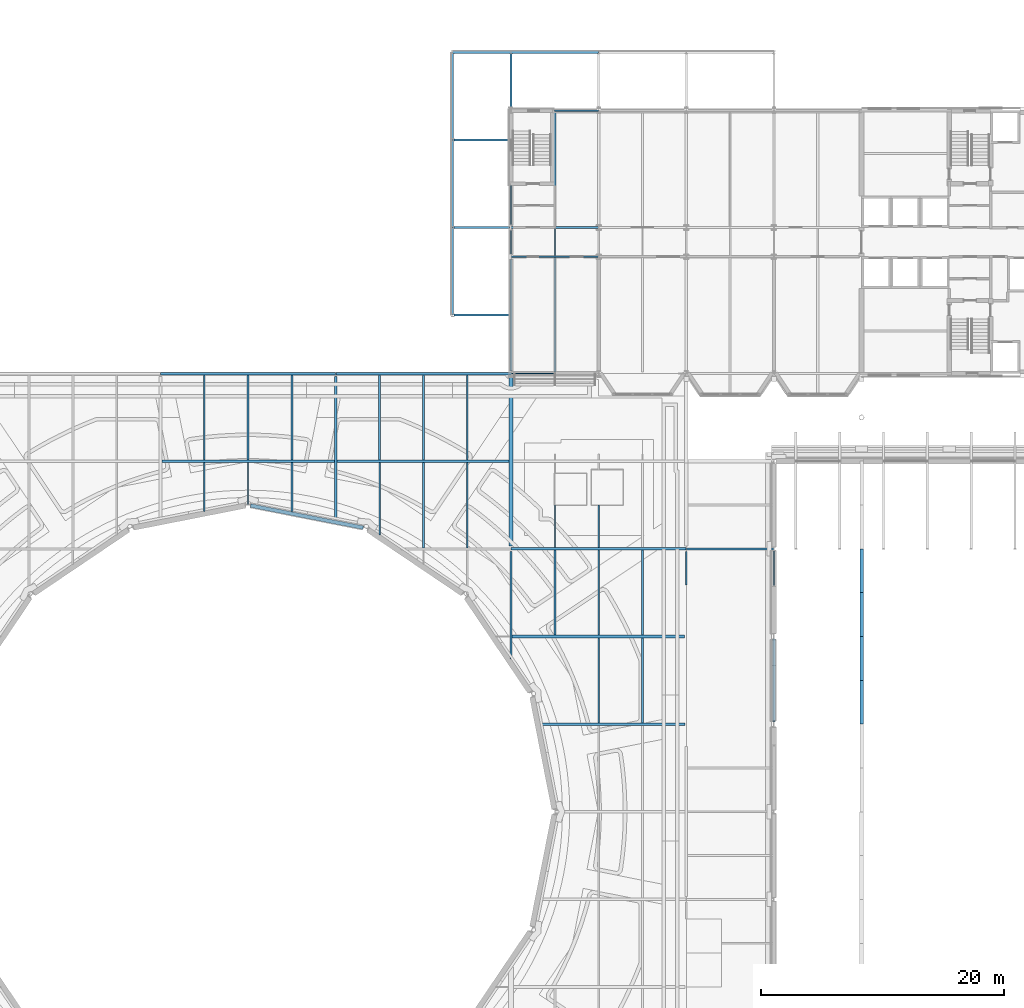
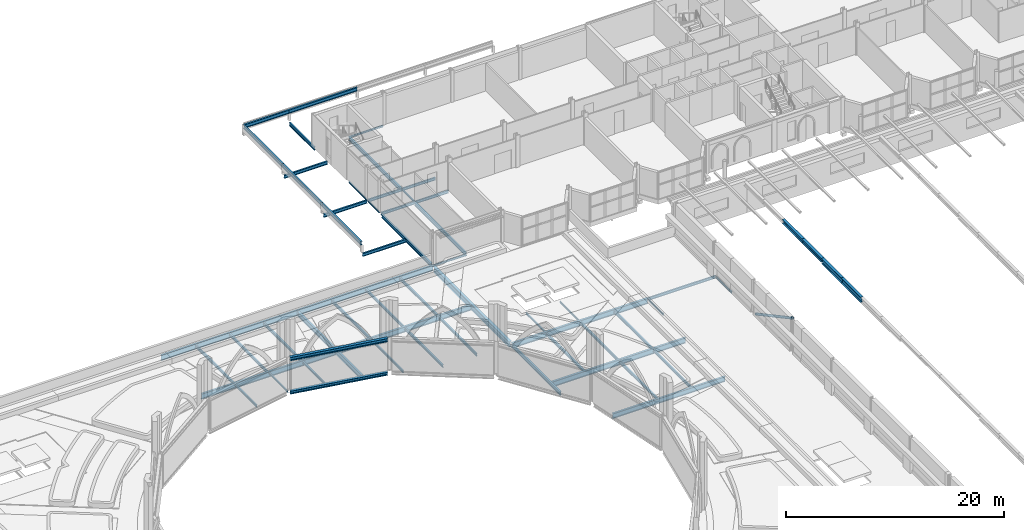
# One storey, part 24 of 110: 53 beams, 5 members.
"""IFC4 building model written with IfcOpenShell, lengths in metres."""

import ifcopenshell
import ifcopenshell.guid

model = None  # the IFC model being written
_history = None  # IfcOwnerHistory: only IFC2X3 demands one
_inside = {}  # id of a spatial element -> (the spatial element, [elements in it])
_under = {}  # id of a project, library or spatial element -> (it, [spatial elements below it])
_declared = {}  # id of a project -> (the project, [libraries it declares])
_typed = {}  # id of a type object -> (the type object, [elements of that type])
_made_of = {}  # id of a material, layer set ... -> (it, [elements and type objects made of it])


def new_model(schema):
    """Start an empty IFC model of exactly this schema.

    Asked for "IFC4X3", IfcOpenShell would pick the latest addendum, in which some entities
    have other attributes; the version numbers below select the first issue.
    IFC2X3 requires an IfcOwnerHistory on every rooted entity: one is made here for all.
    """
    global model, _history
    if schema == "IFC4X3":
        model = ifcopenshell.file(schema_version=(4, 3, 0, 0))
    else:
        model = ifcopenshell.file(schema=schema)
    _inside.clear()
    _under.clear()
    _declared.clear()
    _typed.clear()
    _made_of.clear()
    _history = None
    if model.schema == "IFC2X3":
        org = make("IfcOrganization", Name="unknown")
        user = make(
            "IfcPersonAndOrganization",
            ThePerson=make("IfcPerson", FamilyName="unknown"),
            TheOrganization=org,
        )
        app = make(
            "IfcApplication",
            ApplicationDeveloper=org,
            Version="unknown",
            ApplicationFullName="unknown",
            ApplicationIdentifier="unknown",
        )
        _history = make(
            "IfcOwnerHistory",
            OwningUser=user,
            OwningApplication=app,
            ChangeAction="ADDED",
            CreationDate=0,
        )
    return model


def make(cls, **values):
    """One entity of the class cls with the attributes given. An attribute that is None is left unset."""
    return model.create_entity(
        cls, **{name: value for name, value in values.items() if value is not None}
    )


def rooted(cls, **values):
    """An entity with a GlobalId (a new one), such as an element, a storey or a relation."""
    return make(cls, GlobalId=ifcopenshell.guid.new(), OwnerHistory=_history, **values)


def si_unit(unit_type, name, prefix=None):
    """IfcSIUnit, for example si_unit("LENGTHUNIT", "METRE", prefix="MILLI")."""
    return make("IfcSIUnit", UnitType=unit_type, Prefix=prefix, Name=name)


def assignment(units):
    """IfcUnitAssignment: the units of a project."""
    return None if units is None else make("IfcUnitAssignment", Units=units)


def point(xyz):
    """IfcCartesianPoint."""
    return None if xyz is None else make("IfcCartesianPoint", Coordinates=xyz)


def direction(xyz):
    """IfcDirection."""
    return None if xyz is None else make("IfcDirection", DirectionRatios=xyz)


def frame(location, z_axis=None, x_axis=None):
    """IfcAxis2Placement3D, a coordinate frame: its origin and axes. An axis left out is left unset."""
    return make(
        "IfcAxis2Placement3D",
        Location=point(location),
        Axis=direction(z_axis),
        RefDirection=direction(x_axis),
    )


def frame_2d(location, x_axis=None):
    """IfcAxis2Placement2D, a coordinate frame in the plane: its origin and x axis."""
    return make(
        "IfcAxis2Placement2D", Location=point(location), RefDirection=direction(x_axis)
    )


def origin():
    """The frame at (0, 0, 0) with its axes left unset."""
    return frame((0.0, 0.0, 0.0))


def origin_2d():
    """The frame at (0, 0) in the plane with its x axis left unset."""
    return frame_2d((0.0, 0.0))


def place(relative_to, where):
    """IfcLocalPlacement: puts the frame where relative to a parent placement (None: the world)."""
    return make(
        "IfcLocalPlacement", PlacementRelTo=relative_to, RelativePlacement=where
    )


def context(
    kind, dimensions, precision=None, world=None, true_north=None, identifier=None
):
    """IfcGeometricRepresentationContext, for example the 3D "Model" context."""
    return make(
        "IfcGeometricRepresentationContext",
        ContextIdentifier=identifier,
        ContextType=kind,
        CoordinateSpaceDimension=dimensions,
        Precision=precision,
        WorldCoordinateSystem=world,
        TrueNorth=true_north,
    )


def subcontext(parent, identifier, kind, view, scale=None):
    """IfcGeometricRepresentationSubContext, for example "Body" below "Model"."""
    return make(
        "IfcGeometricRepresentationSubContext",
        ContextIdentifier=identifier,
        ContextType=kind,
        ParentContext=parent,
        TargetScale=scale,
        TargetView=view,
    )


def project(units=None, contexts=None):
    """IfcProject with its units and contexts."""
    return rooted(
        "IfcProject",
        Name="project",
        RepresentationContexts=contexts,
        UnitsInContext=assignment(units),
    )


def spatial(cls, under=None, at=None, **own):
    """A site, building, storey or space (cls), placed at a placement, below another one or the project."""
    s = rooted(cls, ObjectPlacement=at, **own)
    if under is not None:
        _under.setdefault(under.id(), (under, []))[1].append(s)
    return s


def profile(cls, at=None, kind="AREA", **sizes):
    """A parametric profile (cls). Its sizes go by their IFC names, for example OverallWidth=200.0."""
    return make(cls, ProfileType=kind, Position=at, **sizes)


def hollow_circle(**sizes):
    """IfcCircleHollowProfileDef."""
    return profile("IfcCircleHollowProfileDef", **sizes)


def i_section(**sizes):
    """IfcIShapeProfileDef."""
    return profile("IfcIShapeProfileDef", **sizes)


def extrude(swept, where, along, depth):
    """IfcExtrudedAreaSolid: the profile swept, set in the frame where, extruded along a direction by depth."""
    return make(
        "IfcExtrudedAreaSolid",
        SweptArea=swept,
        Position=where,
        ExtrudedDirection=direction(along),
        Depth=depth,
    )


def shape(context_of_items, identifier, shape_type, items):
    """IfcShapeRepresentation: the items that make up one representation, for example the "Body"."""
    return make(
        "IfcShapeRepresentation",
        ContextOfItems=context_of_items,
        RepresentationIdentifier=identifier,
        RepresentationType=shape_type,
        Items=items,
    )


def material(Name=None, Category=None):
    """IfcMaterial."""
    return make("IfcMaterial", Name=Name, Category=Category)


def material_profile(
    of_material, cross_section, Name=None, Category=None, Priority=None
):
    """IfcMaterialProfile: a cross section and its material."""
    return make(
        "IfcMaterialProfile",
        Name=Name,
        Material=of_material,
        Profile=cross_section,
        Priority=Priority,
        Category=Category,
    )


def profile_set(profiles, Name=None, composite=None):
    """IfcMaterialProfileSet."""
    return make(
        "IfcMaterialProfileSet",
        Name=Name,
        MaterialProfiles=profiles,
        CompositeProfile=composite,
    )


def made_of(thing, what):
    """Note that an element or type object is made of a material, layer set ...; save() writes the relation."""
    if what is not None:
        _made_of.setdefault(what.id(), (what, []))[1].append(thing)
    return thing


def type_object(cls, material=None, **own):
    """A type object (cls), such as IfcWallType, which elements share."""
    return made_of(rooted(cls, **own), material)


def element(
    cls,
    number,
    at=None,
    inside=None,
    cuts=None,
    type_object=None,
    material=None,
    context=None,
    identifier="Body",
    shape_type=None,
    held_by="IfcProductDefinitionShape",
    body=None,
    shapes=None,
    **own,
):
    """One element of the class cls, such as IfcWall. Its Tag is "e" and its number.

    at: its placement. inside: the storey or other place that contains it. cuts: it is an
    opening in that element (IfcRelVoidsElement). A single representation is given by context,
    identifier, shape_type and body (its items); several are given by shapes. held_by: the class
    of the entity that holds the representations. save() writes the other relations.
    """
    e = rooted(cls, Tag="e%d" % number, ObjectPlacement=at, **own)
    if body is not None:
        shapes = [shape(context, identifier, shape_type, body)]
    if shapes is not None:
        e.Representation = make(held_by, Representations=shapes)
    if inside is not None:
        _inside.setdefault(inside.id(), (inside, []))[1].append(e)
    if cuts is not None:
        rooted(
            "IfcRelVoidsElement", RelatingBuildingElement=cuts, RelatedOpeningElement=e
        )
    if type_object is not None:
        _typed.setdefault(type_object.id(), (type_object, []))[1].append(e)
    return made_of(e, material)


def aggregate(whole, parts):
    """IfcRelAggregates: a whole, such as a stair, and the parts it consists of."""
    return rooted("IfcRelAggregates", RelatingObject=whole, RelatedObjects=parts)


def save(model, path):
    """Write the relations noted so far, then the file.

    IfcRelAggregates (storeys below a building ...), IfcRelContainedInSpatialStructure (elements
    in a storey), IfcRelDefinesByType, IfcRelAssociatesMaterial and IfcRelDeclares: one each for
    every whole, place, type object, material and project.
    """
    for whole, parts in _under.values():
        aggregate(whole, parts)
    for where, things in _inside.values():
        rooted(
            "IfcRelContainedInSpatialStructure",
            RelatedElements=things,
            RelatingStructure=where,
        )
    for kind, things in _typed.values():
        rooted("IfcRelDefinesByType", RelatedObjects=things, RelatingType=kind)
    for what, things in _made_of.values():
        rooted("IfcRelAssociatesMaterial", RelatedObjects=things, RelatingMaterial=what)
    for by, libraries in _declared.values():
        rooted("IfcRelDeclares", RelatingContext=by, RelatedDefinitions=libraries)
    model.write(path)


model = new_model("IFC4")

# Units and contexts
model_context = context("Model", 3, precision=1e-05, world=origin(), true_north=direction((0.0, 1.0)))
body_context = subcontext(model_context, "Body", "Model", "MODEL_VIEW")
ifc_project = project(units=[si_unit("LENGTHUNIT", "METRE"), si_unit("AREAUNIT", "SQUARE_METRE"), si_unit("VOLUMEUNIT", "CUBIC_METRE"), si_unit("PLANEANGLEUNIT", "RADIAN"), si_unit("MASSUNIT", "GRAM", prefix="KILO")], contexts=[model_context])

# Site, building, storey
site_placement = place(None, origin())
site = spatial("IfcSite", under=ifc_project, at=site_placement, CompositionType="ELEMENT")
building_placement = place(site_placement, origin())
building = spatial("IfcBuilding", under=site, at=building_placement, Name="Kupolbacken Congress Centre", CompositionType="ELEMENT")
storey_placement = place(building_placement, frame((0.0, 0.0, 18.0)))
storey = spatial("IfcBuildingStorey", under=building, at=storey_placement, Name="L05", CompositionType="ELEMENT", Elevation=18.0)

# Beams
ifc_material_1 = material(Name="Steel S355", Category="steel")
ifc_material_profile_1 = material_profile(ifc_material_1, i_section(OverallWidth=0.10009765625, OverallDepth=0.199951171875, WebThickness=0.005615234375, FlangeThickness=0.008544921875, FilletRadius=0.011962890625, at=origin_2d()), Name="IPE 200")
ifc_profile_set_1 = profile_set([ifc_material_profile_1], Name="Steel S355")
beam_type_1 = type_object("IfcBeamType", Name="B01 beam IPE 200", PredefinedType="BEAM", material=ifc_profile_set_1)
beam_1_placement = place(storey_placement, frame((79.199951171875, 105.050048828125, -0.280029296875), z_axis=(0.0, 1.0, 0.0), x_axis=(-1.0, 0.0, 0.0)))
element("IfcBeam", 1, at=beam_1_placement, inside=storey, type_object=beam_type_1, Name="S/floor/P/L05/G036", PredefinedType="BEAM", context=body_context, shape_type="SweptSolid", body=[
    extrude(i_section(OverallWidth=0.10009765625, OverallDepth=0.199951171875, WebThickness=0.005615234375, FlangeThickness=0.008544921875, FilletRadius=0.011962890625, at=origin_2d()), origin(), (0.0, 0.0, 1.0), 2.724853515625),
])
beam_2_placement = place(storey_placement, frame((64.806884765625, 122.39990234375, -0.280029296875), z_axis=(1.0, 0.0, 0.0), x_axis=(0.0, 1.0, 0.0)))
element("IfcBeam", 2, at=beam_2_placement, inside=storey, type_object=beam_type_1, Name="S/floor/P/L05/R074", PredefinedType="BEAM", context=body_context, shape_type="SweptSolid", body=[
    extrude(i_section(OverallWidth=0.10009765625, OverallDepth=0.199951171875, WebThickness=0.005615234375, FlangeThickness=0.008544921875, FilletRadius=0.011962890625, at=origin_2d()), origin(), (0.0, 0.0, 1.0), 3.468017578125),
])
beam_3_placement = place(storey_placement, frame((43.199951171875, 111.606689453125, -0.280029296875), z_axis=(0.0, 1.0, 0.0), x_axis=(-1.0, 0.0, 0.0)))
element("IfcBeam", 3, at=beam_3_placement, inside=storey, type_object=beam_type_1, Name="S/floor/P/L05/S118", PredefinedType="BEAM", context=body_context, shape_type="SweptSolid", body=[
    extrude(i_section(OverallWidth=0.10009765625, OverallDepth=0.199951171875, WebThickness=0.005615234375, FlangeThickness=0.008544921875, FilletRadius=0.011962890625, at=origin_2d()), origin(), (0.0, 0.0, 1.0), 3.4833984375),
])
for number, where, z_axis, x_axis, name in (
    (4, (72.0, 108.110107421875, -0.280029296875), (0.0, 1.0, 0.0), (-1.0, 0.0, 0.0), "S/floor/P/L05/S148"),
    (5, (68.39990234375, 108.110107421875, -0.280029296875), (0.0, 1.0, 0.0), (-1.0, 0.0, 0.0), "S/floor/P/L05/S174"),
):
    element("IfcBeam", number, at=place(storey_placement, frame(where, z_axis=z_axis, x_axis=x_axis)), inside=storey, type_object=beam_type_1, Name=name, PredefinedType="BEAM", context=body_context, shape_type="SweptSolid", body=[
        extrude(i_section(OverallWidth=0.10009765625, OverallDepth=0.199951171875, WebThickness=0.005615234375, FlangeThickness=0.008544921875, FilletRadius=0.011962890625, at=origin_2d()), origin(), (0.0, 0.0, 1.0), 3.489990234375),
    ])
beam_4_placement = place(storey_placement, frame((86.39990234375, 105.0, -0.280029296875), z_axis=(0.0, 1.0, 0.0), x_axis=(-1.0, 0.0, 0.0)))
element("IfcBeam", 6, at=beam_4_placement, inside=storey, type_object=beam_type_1, Name="S/floor/LINK/L05/E008", PredefinedType="BEAM", context=body_context, shape_type="SweptSolid", body=[
    extrude(i_section(OverallWidth=0.10009765625, OverallDepth=0.199951171875, WebThickness=0.005615234375, FlangeThickness=0.008544921875, FilletRadius=0.011962890625, at=origin_2d()), origin(), (0.0, 0.0, 1.0), 2.85498046875),
])
beam_5_placement = place(storey_placement, frame((68.35009765625, 144.0, -0.239990234375), z_axis=(1.0, 0.0, 0.0), x_axis=(0.0, 1.0, 0.0)))
element("IfcBeam", 7, at=beam_5_placement, inside=storey, type_object=beam_type_1, Name="S/floor/T/L05/R023", PredefinedType="BEAM", context=body_context, shape_type="SweptSolid", body=[
    extrude(i_section(OverallWidth=0.10009765625, OverallDepth=0.199951171875, WebThickness=0.005615234375, FlangeThickness=0.008544921875, FilletRadius=0.011962890625, at=origin_2d()), origin(), (0.0, 0.0, 1.0), 3.639404296875),
])
beam_6_placement = place(storey_placement, frame((64.800048828125, 132.22509765625, -0.239990234375), z_axis=(0.0, 1.0, 0.0), x_axis=(-1.0, 0.0, 0.0)))
element("IfcBeam", 8, at=beam_6_placement, inside=storey, type_object=beam_type_1, Name="S/floor/T/L05/S032", PredefinedType="BEAM", context=body_context, shape_type="SweptSolid", body=[
    extrude(i_section(OverallWidth=0.10009765625, OverallDepth=0.199951171875, WebThickness=0.005615234375, FlangeThickness=0.008544921875, FilletRadius=0.011962890625, at=origin_2d()), origin(), (0.0, 0.0, 1.0), 1.949951171875),
])
beam_7_placement = place(storey_placement, frame((64.800048828125, 134.625, -0.239990234375), z_axis=(0.0, 1.0, 0.0), x_axis=(-1.0, 0.0, 0.0)))
element("IfcBeam", 9, at=beam_7_placement, inside=storey, type_object=beam_type_1, Name="S/floor/T/L05/S033", PredefinedType="BEAM", context=body_context, shape_type="SweptSolid", body=[
    extrude(i_section(OverallWidth=0.10009765625, OverallDepth=0.199951171875, WebThickness=0.005615234375, FlangeThickness=0.008544921875, FilletRadius=0.011962890625, at=origin_2d()), origin(), (0.0, 0.0, 1.0), 3.22509765625),
])
beam_8_placement = place(storey_placement, frame((68.39990234375, 132.074951171875, -0.239990234375), z_axis=(0.0, 1.0, 0.0), x_axis=(-1.0, 0.0, 0.0)))
element("IfcBeam", 10, at=beam_8_placement, inside=storey, type_object=beam_type_1, Name="S/floor/T/L05/S035", PredefinedType="BEAM", context=body_context, shape_type="SweptSolid", body=[
    extrude(i_section(OverallWidth=0.10009765625, OverallDepth=0.199951171875, WebThickness=0.005615234375, FlangeThickness=0.008544921875, FilletRadius=0.011962890625, at=origin_2d()), origin(), (0.0, 0.0, 1.0), 2.25),
])
ifc_material_2 = material(Name="Steel S355", Category="steel")
ifc_material_profile_2 = material_profile(ifc_material_2, i_section(OverallWidth=0.135009765625, OverallDepth=0.27001953125, WebThickness=0.006591796875, FlangeThickness=0.01025390625, FilletRadius=0.014892578125, at=origin_2d()), Name="IPE 270")
ifc_profile_set_2 = profile_set([ifc_material_profile_2], Name="Steel S355")
beam_type_2 = type_object("IfcBeamType", Name="B03 beam IPE 270", PredefinedType="BEAM", material=ifc_profile_set_2)
for number, where, z_axis, x_axis, name in (
    (11, (39.60009765625, 111.057373046875, -0.31494140625), (0.0, 1.0, 0.0), (-1.0, 0.0, 0.0), "S/floor/P/L05/S114"),
    (12, (46.800048828125, 111.057373046875, -0.31494140625), (0.0, 1.0, 0.0), (-1.0, 0.0, 0.0), "S/floor/P/L05/S122"),
):
    element("IfcBeam", number, at=place(storey_placement, frame(where, z_axis=z_axis, x_axis=x_axis)), inside=storey, type_object=beam_type_2, Name=name, PredefinedType="BEAM", context=body_context, shape_type="SweptSolid", body=[
        extrude(i_section(OverallWidth=0.135009765625, OverallDepth=0.27001953125, WebThickness=0.006591796875, FlangeThickness=0.01025390625, FilletRadius=0.014892578125, at=origin_2d()), origin(), (0.0, 0.0, 1.0), 4.03271484375),
    ])
beam_9_placement = place(storey_placement, frame((54.0, 109.150390625, -0.31494140625), z_axis=(0.0, 1.0, 0.0), x_axis=(-1.0, 0.0, 0.0)))
element("IfcBeam", 13, at=beam_9_placement, inside=storey, type_object=beam_type_2, Name="S/floor/P/L05/S126", PredefinedType="BEAM", context=body_context, shape_type="SweptSolid", body=[
    extrude(i_section(OverallWidth=0.135009765625, OverallDepth=0.27001953125, WebThickness=0.006591796875, FlangeThickness=0.01025390625, FilletRadius=0.014892578125, at=origin_2d()), origin(), (0.0, 0.0, 1.0), 5.939697265625),
])
ifc_material_3 = material(Name="Steel S355", Category="steel")
ifc_material_profile_3 = material_profile(ifc_material_3, i_section(OverallWidth=0.14990234375, OverallDepth=0.300048828125, WebThickness=0.007080078125, FlangeThickness=0.0107421875, FilletRadius=0.014892578125, at=origin_2d()), Name="IPE 300")
ifc_profile_set_3 = profile_set([ifc_material_profile_3], Name="Steel S355")
beam_type_3 = type_object("IfcBeamType", Name="B04 beam IPE 300", PredefinedType="BEAM", material=ifc_profile_set_3)
for number, where, z_axis, x_axis, name in (
    (14, (39.60009765625, 115.31005859375, -0.330078125), (0.0, 1.0, 0.0), (-1.0, 0.0, 0.0), "S/floor/P/L05/S115"),
    (15, (43.199951171875, 115.31005859375, -0.330078125), (0.0, 1.0, 0.0), (-1.0, 0.0, 0.0), "S/floor/P/L05/S119"),
    (16, (46.800048828125, 115.31005859375, -0.330078125), (0.0, 1.0, 0.0), (-1.0, 0.0, 0.0), "S/floor/P/L05/S123"),
    (17, (54.0, 115.31005859375, -0.330078125), (0.0, 1.0, 0.0), (-1.0, 0.0, 0.0), "S/floor/P/L05/S127"),
):
    element("IfcBeam", number, at=place(storey_placement, frame(where, z_axis=z_axis, x_axis=x_axis)), inside=storey, type_object=beam_type_3, Name=name, PredefinedType="BEAM", context=body_context, shape_type="SweptSolid", body=[
        extrude(i_section(OverallWidth=0.14990234375, OverallDepth=0.300048828125, WebThickness=0.007080078125, FlangeThickness=0.0107421875, FilletRadius=0.014892578125, at=origin_2d()), origin(), (0.0, 0.0, 1.0), 6.97998046875),
    ])
beam_10_placement = place(storey_placement, frame((57.60009765625, 108.090087890625, -0.330078125), z_axis=(0.0, 1.0, 0.0), x_axis=(-1.0, 0.0, 0.0)))
element("IfcBeam", 18, at=beam_10_placement, inside=storey, type_object=beam_type_3, Name="S/floor/P/L05/S132", PredefinedType="BEAM", context=body_context, shape_type="SweptSolid", body=[
    extrude(i_section(OverallWidth=0.14990234375, OverallDepth=0.300048828125, WebThickness=0.007080078125, FlangeThickness=0.0107421875, FilletRadius=0.014892578125, at=origin_2d()), origin(), (0.0, 0.0, 1.0), 7.0),
])
beam_11_placement = place(storey_placement, frame((57.60009765625, 115.31005859375, -0.330078125), z_axis=(0.0, 1.0, 0.0), x_axis=(-1.0, 0.0, 0.0)))
element("IfcBeam", 19, at=beam_11_placement, inside=storey, type_object=beam_type_3, Name="S/floor/P/L05/S133", PredefinedType="BEAM", context=body_context, shape_type="SweptSolid", body=[
    extrude(i_section(OverallWidth=0.14990234375, OverallDepth=0.300048828125, WebThickness=0.007080078125, FlangeThickness=0.0107421875, FilletRadius=0.014892578125, at=origin_2d()), origin(), (0.0, 0.0, 1.0), 6.97998046875),
])
beam_12_placement = place(storey_placement, frame((61.199951171875, 108.090087890625, -0.330078125), z_axis=(0.0, 1.0, 0.0), x_axis=(-1.0, 0.0, 0.0)))
element("IfcBeam", 20, at=beam_12_placement, inside=storey, type_object=beam_type_3, Name="S/floor/P/L05/S138", PredefinedType="BEAM", context=body_context, shape_type="SweptSolid", body=[
    extrude(i_section(OverallWidth=0.14990234375, OverallDepth=0.300048828125, WebThickness=0.007080078125, FlangeThickness=0.0107421875, FilletRadius=0.014892578125, at=origin_2d()), origin(), (0.0, 0.0, 1.0), 7.0),
])
beam_13_placement = place(storey_placement, frame((61.199951171875, 115.31005859375, -0.330078125), z_axis=(0.0, 1.0, 0.0), x_axis=(-1.0, 0.0, 0.0)))
element("IfcBeam", 21, at=beam_13_placement, inside=storey, type_object=beam_type_3, Name="S/floor/P/L05/S139", PredefinedType="BEAM", context=body_context, shape_type="SweptSolid", body=[
    extrude(i_section(OverallWidth=0.14990234375, OverallDepth=0.300048828125, WebThickness=0.007080078125, FlangeThickness=0.0107421875, FilletRadius=0.014892578125, at=origin_2d()), origin(), (0.0, 0.0, 1.0), 6.97998046875),
])
beam_14_placement = place(storey_placement, frame((72.0, 93.705078125, -0.330078125), z_axis=(0.0, 1.0, 0.0), x_axis=(-1.0, 0.0, 0.0)))
element("IfcBeam", 22, at=beam_14_placement, inside=storey, type_object=beam_type_3, Name="S/floor/P/L05/S146", PredefinedType="BEAM", context=body_context, shape_type="SweptSolid", body=[
    extrude(i_section(OverallWidth=0.14990234375, OverallDepth=0.300048828125, WebThickness=0.007080078125, FlangeThickness=0.0107421875, FilletRadius=0.014892578125, at=origin_2d()), origin(), (0.0, 0.0, 1.0), 6.98486328125),
])
beam_15_placement = place(storey_placement, frame((72.0, 100.909912109375, -0.330078125), z_axis=(0.0, 1.0, 0.0), x_axis=(-1.0, 0.0, 0.0)))
element("IfcBeam", 23, at=beam_15_placement, inside=storey, type_object=beam_type_3, Name="S/floor/P/L05/S147", PredefinedType="BEAM", context=body_context, shape_type="SweptSolid", body=[
    extrude(i_section(OverallWidth=0.14990234375, OverallDepth=0.300048828125, WebThickness=0.007080078125, FlangeThickness=0.0107421875, FilletRadius=0.014892578125, at=origin_2d()), origin(), (0.0, 0.0, 1.0), 6.97998046875),
])
beam_16_placement = place(storey_placement, frame((75.60009765625, 93.705078125, -0.330078125), z_axis=(0.0, 1.0, 0.0), x_axis=(-1.0, 0.0, 0.0)))
element("IfcBeam", 24, at=beam_16_placement, inside=storey, type_object=beam_type_3, Name="S/floor/P/L05/S157", PredefinedType="BEAM", context=body_context, shape_type="SweptSolid", body=[
    extrude(i_section(OverallWidth=0.14990234375, OverallDepth=0.300048828125, WebThickness=0.007080078125, FlangeThickness=0.0107421875, FilletRadius=0.014892578125, at=origin_2d()), origin(), (0.0, 0.0, 1.0), 6.98486328125),
])
for number, where, z_axis, x_axis, name in (
    (25, (75.60009765625, 100.909912109375, -0.330078125), (0.0, 1.0, 0.0), (-1.0, 0.0, 0.0), "S/floor/P/L05/S158"),
    (26, (68.39990234375, 100.909912109375, -0.330078125), (0.0, 1.0, 0.0), (-1.0, 0.0, 0.0), "S/floor/P/L05/S173"),
):
    element("IfcBeam", number, at=place(storey_placement, frame(where, z_axis=z_axis, x_axis=x_axis)), inside=storey, type_object=beam_type_3, Name=name, PredefinedType="BEAM", context=body_context, shape_type="SweptSolid", body=[
        extrude(i_section(OverallWidth=0.14990234375, OverallDepth=0.300048828125, WebThickness=0.007080078125, FlangeThickness=0.0107421875, FilletRadius=0.014892578125, at=origin_2d()), origin(), (0.0, 0.0, 1.0), 6.97998046875),
    ])
beam_17_placement = place(storey_placement, frame((79.20703125, 108.0, -0.330078125), z_axis=(1.0, 0.0, 0.0), x_axis=(0.0, 1.0, 0.0)))
element("IfcBeam", 27, at=beam_17_placement, inside=storey, type_object=beam_type_3, Name="S/floor/LINK/L05/R020", PredefinedType="BEAM", context=body_context, shape_type="SweptSolid", body=[
    extrude(i_section(OverallWidth=0.14990234375, OverallDepth=0.300048828125, WebThickness=0.007080078125, FlangeThickness=0.0107421875, FilletRadius=0.014892578125, at=origin_2d()), origin(), (0.0, 0.0, 1.0), 7.188720703125),
])
for number, where, z_axis, x_axis, name in (
    (28, (64.806884765625, 132.0, -0.2900390625), (1.0, 0.0, 0.0), (0.0, 1.0, 0.0), "S/floor/T/L05/R007"),
    (29, (64.806884765625, 134.39990234375, -0.2900390625), (1.0, 0.0, 0.0), (0.0, 1.0, 0.0), "S/floor/T/L05/R015"),
):
    element("IfcBeam", number, at=place(storey_placement, frame(where, z_axis=z_axis, x_axis=x_axis)), inside=storey, type_object=beam_type_3, Name=name, PredefinedType="BEAM", context=body_context, shape_type="SweptSolid", body=[
        extrude(i_section(OverallWidth=0.14990234375, OverallDepth=0.300048828125, WebThickness=0.007080078125, FlangeThickness=0.0107421875, FilletRadius=0.014892578125, at=origin_2d()), origin(), (0.0, 0.0, 1.0), 7.1767578125),
    ])
ifc_material_4 = material(Name="Steel S355", Category="steel")
ifc_material_profile_4 = material_profile(ifc_material_4, i_section(OverallWidth=0.169921875, OverallDepth=0.360107421875, WebThickness=0.008056640625, FlangeThickness=0.0126953125, FilletRadius=0.01806640625, at=origin_2d()), Name="IPE 360")
ifc_profile_set_4 = profile_set([ifc_material_profile_4], Name="Steel S355")
beam_type_4 = type_object("IfcBeamType", Name="B06 beam IPE 360", PredefinedType="BEAM", material=ifc_profile_set_4)
beam_18_placement = place(storey_placement, frame((64.800048828125, 144.080078125, -0.320068359375), z_axis=(0.0, 1.0, 0.0), x_axis=(-1.0, 0.0, 0.0)))
element("IfcBeam", 30, at=beam_18_placement, inside=storey, type_object=beam_type_4, Name="E/T/portal/N/tie64.8/L05", PredefinedType="BEAM", context=body_context, shape_type="SweptSolid", body=[
    extrude(i_section(OverallWidth=0.169921875, OverallDepth=0.360107421875, WebThickness=0.008056640625, FlangeThickness=0.0126953125, FilletRadius=0.01806640625, at=origin_2d()), origin(), (0.0, 0.0, 1.0), 4.60986328125),
])
for number, where, z_axis, x_axis, name in (
    (31, (64.719970703125, 127.199951171875, -0.320068359375), (-1.0, 0.0, 0.0), (0.0, -1.0, 0.0), "E/T/portal/W/tie127.2/L05"),
    (32, (64.719970703125, 134.39990234375, -0.320068359375), (-1.0, 0.0, 0.0), (0.0, -1.0, 0.0), "E/T/portal/W/tie134.4/L05"),
    (33, (64.719970703125, 141.60009765625, -0.320068359375), (-1.0, 0.0, 0.0), (0.0, -1.0, 0.0), "E/T/portal/W/tie141.6/L05"),
):
    element("IfcBeam", number, at=place(storey_placement, frame(where, z_axis=z_axis, x_axis=x_axis)), inside=storey, type_object=beam_type_4, Name=name, PredefinedType="BEAM", context=body_context, shape_type="SweptSolid", body=[
        extrude(i_section(OverallWidth=0.169921875, OverallDepth=0.360107421875, WebThickness=0.008056640625, FlangeThickness=0.0126953125, FilletRadius=0.01806640625, at=origin_2d()), origin(), (0.0, 0.0, 1.0), 4.60498046875),
    ])
ifc_material_5 = material(Name="Steel S355", Category="steel")
ifc_material_profile_5 = material_profile(ifc_material_5, i_section(OverallWidth=0.179931640625, OverallDepth=0.39990234375, WebThickness=0.008544921875, FlangeThickness=0.013427734375, FilletRadius=0.02099609375, at=origin_2d()), Name="IPE 400")
ifc_profile_set_5 = profile_set([ifc_material_profile_5], Name="Steel S355")
beam_type_5 = type_object("IfcBeamType", Name="B07 beam IPE 400", PredefinedType="BEAM", material=ifc_profile_set_5)
beam_19_placement = place(storey_placement, frame((64.800048828125, 98.970703125, -0.3798828125), z_axis=(0.0, 1.0, 0.0), x_axis=(-1.0, 0.0, 0.0)))
element("IfcBeam", 34, at=beam_19_placement, inside=storey, type_object=beam_type_5, Name="S/floor/P/L05/G030", PredefinedType="BEAM", context=body_context, shape_type="SweptSolid", body=[
    extrude(i_section(OverallWidth=0.179931640625, OverallDepth=0.39990234375, WebThickness=0.008544921875, FlangeThickness=0.013427734375, FilletRadius=0.02099609375, at=origin_2d()), origin(), (0.0, 0.0, 1.0), 8.80419921875),
])
beam_20_placement = place(storey_placement, frame((64.800048828125, 122.625, -0.340087890625), z_axis=(0.0, 1.0, 0.0), x_axis=(-1.0, 0.0, 0.0)))
element("IfcBeam", 35, at=beam_20_placement, inside=storey, type_object=beam_type_5, Name="S/floor/T/L05/S031", PredefinedType="BEAM", context=body_context, shape_type="SweptSolid", body=[
    extrude(i_section(OverallWidth=0.179931640625, OverallDepth=0.39990234375, WebThickness=0.008544921875, FlangeThickness=0.013427734375, FilletRadius=0.02099609375, at=origin_2d()), origin(), (0.0, 0.0, 1.0), 9.14990234375),
])
beam_21_placement = place(storey_placement, frame((68.39990234375, 122.52490234375, -0.340087890625), z_axis=(0.0, 1.0, 0.0), x_axis=(-1.0, 0.0, 0.0)))
element("IfcBeam", 36, at=beam_21_placement, inside=storey, type_object=beam_type_5, Name="S/floor/T/L05/S034", PredefinedType="BEAM", context=body_context, shape_type="SweptSolid", body=[
    extrude(i_section(OverallWidth=0.179931640625, OverallDepth=0.39990234375, WebThickness=0.008544921875, FlangeThickness=0.013427734375, FilletRadius=0.02099609375, at=origin_2d()), origin(), (0.0, 0.0, 1.0), 9.400146484375),
])
beam_22_placement = place(storey_placement, frame((68.39990234375, 134.47509765625, -0.340087890625), z_axis=(0.0, 1.0, 0.0), x_axis=(-1.0, 0.0, 0.0)))
element("IfcBeam", 37, at=beam_22_placement, inside=storey, type_object=beam_type_5, Name="S/floor/T/L05/S036", PredefinedType="BEAM", context=body_context, shape_type="SweptSolid", body=[
    extrude(i_section(OverallWidth=0.179931640625, OverallDepth=0.39990234375, WebThickness=0.008544921875, FlangeThickness=0.013427734375, FilletRadius=0.02099609375, at=origin_2d()), origin(), (0.0, 0.0, 1.0), 9.474853515625),
])
beam_23_placement = place(storey_placement, frame((60.0, 148.800048828125, 1.0), z_axis=(1.0, 0.0, 0.0), x_axis=(0.0, 1.0, 0.0)))
element("IfcBeam", 38, at=beam_23_placement, inside=storey, type_object=beam_type_5, Name="E/T/portal/N/girder60", PredefinedType="BEAM", context=body_context, shape_type="SweptSolid", body=[
    extrude(i_section(OverallWidth=0.179931640625, OverallDepth=0.39990234375, WebThickness=0.008544921875, FlangeThickness=0.013427734375, FilletRadius=0.02099609375, at=origin_2d()), origin(), (0.0, 0.0, 1.0), 4.800048828125),
])
for number, where, z_axis, x_axis, name in (
    (39, (64.800048828125, 148.800048828125, 1.0), (1.0, 0.0, 0.0), (0.0, 1.0, 0.0), "E/T/portal/N/girder64.8"),
    (40, (60.0, 127.199951171875, 1.0), (0.0, 1.0, 0.0), (-1.0, 0.0, 0.0), "E/T/portal/W/girder127.2"),
):
    element("IfcBeam", number, at=place(storey_placement, frame(where, z_axis=z_axis, x_axis=x_axis)), inside=storey, type_object=beam_type_5, Name=name, PredefinedType="BEAM", context=body_context, shape_type="SweptSolid", body=[
        extrude(i_section(OverallWidth=0.179931640625, OverallDepth=0.39990234375, WebThickness=0.008544921875, FlangeThickness=0.013427734375, FilletRadius=0.02099609375, at=origin_2d()), origin(), (0.0, 0.0, 1.0), 7.199951171875),
    ])
beam_24_placement = place(storey_placement, frame((60.0, 134.39990234375, 1.0), z_axis=(0.0, 1.0, 0.0), x_axis=(-1.0, 0.0, 0.0)))
element("IfcBeam", 41, at=beam_24_placement, inside=storey, type_object=beam_type_5, Name="E/T/portal/W/girder134.4", PredefinedType="BEAM", context=body_context, shape_type="SweptSolid", body=[
    extrude(i_section(OverallWidth=0.179931640625, OverallDepth=0.39990234375, WebThickness=0.008544921875, FlangeThickness=0.013427734375, FilletRadius=0.02099609375, at=origin_2d()), origin(), (0.0, 0.0, 1.0), 7.2001953125),
])
beam_25_placement = place(storey_placement, frame((60.0, 141.60009765625, 1.0), z_axis=(0.0, 1.0, 0.0), x_axis=(-1.0, 0.0, 0.0)))
element("IfcBeam", 42, at=beam_25_placement, inside=storey, type_object=beam_type_5, Name="E/T/portal/W/girder141.6", PredefinedType="BEAM", context=body_context, shape_type="SweptSolid", body=[
    extrude(i_section(OverallWidth=0.179931640625, OverallDepth=0.39990234375, WebThickness=0.008544921875, FlangeThickness=0.013427734375, FilletRadius=0.02099609375, at=origin_2d()), origin(), (0.0, 0.0, 1.0), 7.199951171875),
])
ifc_material_6 = material(Name="Steel S355", Category="steel")
ifc_material_profile_6 = material_profile(ifc_material_6, i_section(OverallWidth=0.2099609375, OverallDepth=0.550048828125, WebThickness=0.010986328125, FlangeThickness=0.01708984375, FilletRadius=0.02392578125, at=origin_2d()), Name="IPE 550")
ifc_profile_set_6 = profile_set([ifc_material_profile_6], Name="Steel S355")
beam_type_6 = type_object("IfcBeamType", Name="B10 beam IPE 550", PredefinedType="BEAM", material=ifc_profile_set_6)
beam_26_placement = place(storey_placement, frame((50.39990234375, 110.35595703125, -0.455078125), z_axis=(0.0, 1.0, 0.0), x_axis=(-1.0, 0.0, 0.0)))
element("IfcBeam", 43, at=beam_26_placement, inside=storey, type_object=beam_type_6, Name="S/floor/P/L05/G028", PredefinedType="BEAM", context=body_context, shape_type="SweptSolid", body=[
    extrude(i_section(OverallWidth=0.2099609375, OverallDepth=0.550048828125, WebThickness=0.010986328125, FlangeThickness=0.01708984375, FilletRadius=0.02392578125, at=origin_2d()), origin(), (0.0, 0.0, 1.0), 11.819091796875),
])
beam_27_placement = place(storey_placement, frame((67.156005859375, 93.60009765625, -0.455078125), z_axis=(1.0, 0.0, 0.0), x_axis=(0.0, 1.0, 0.0)))
element("IfcBeam", 44, at=beam_27_placement, inside=storey, type_object=beam_type_6, Name="S/floor/P/L05/R056", PredefinedType="BEAM", context=body_context, shape_type="SweptSolid", body=[
    extrude(i_section(OverallWidth=0.2099609375, OverallDepth=0.550048828125, WebThickness=0.010986328125, FlangeThickness=0.01708984375, FilletRadius=0.02392578125, at=origin_2d()), origin(), (0.0, 0.0, 1.0), 11.9189453125),
])
ifc_material_7 = material(Name="Steel S355", Category="steel")
ifc_material_profile_7 = material_profile(ifc_material_7, i_section(OverallWidth=0.219970703125, OverallDepth=0.60009765625, WebThickness=0.011962890625, FlangeThickness=0.01904296875, FilletRadius=0.02392578125, at=origin_2d()), Name="IPE 600")
ifc_profile_set_7 = profile_set([ifc_material_profile_7], Name="Steel S355")
beam_type_7 = type_object("IfcBeamType", Name="B11 beam IPE 600", PredefinedType="BEAM", material=ifc_profile_set_7)
beam_28_placement = place(storey_placement, frame((64.889892578125, 100.800048828125, -0.47998046875), z_axis=(1.0, 0.0, 0.0), x_axis=(0.0, 1.0, 0.0)))
element("IfcBeam", 45, at=beam_28_placement, inside=storey, type_object=beam_type_7, Name="S/floor/P/L05/R060", PredefinedType="BEAM", context=body_context, shape_type="SweptSolid", body=[
    extrude(i_section(OverallWidth=0.219970703125, OverallDepth=0.60009765625, WebThickness=0.011962890625, FlangeThickness=0.01904296875, FilletRadius=0.02392578125, at=origin_2d()), origin(), (0.0, 0.0, 1.0), 14.16015625),
])
beam_29_placement = place(storey_placement, frame((64.806884765625, 108.0, -0.47998046875), z_axis=(1.0, 0.0, 0.0), x_axis=(0.0, 1.0, 0.0)))
element("IfcBeam", 46, at=beam_29_placement, inside=storey, type_object=beam_type_7, Name="S/floor/P/L05/R064", PredefinedType="BEAM", context=body_context, shape_type="SweptSolid", body=[
    extrude(i_section(OverallWidth=0.219970703125, OverallDepth=0.60009765625, WebThickness=0.011962890625, FlangeThickness=0.01904296875, FilletRadius=0.02392578125, at=origin_2d()), origin(), (0.0, 0.0, 1.0), 14.38623046875),
])
beam_30_placement = place(storey_placement, frame((36.10498046875, 115.199951171875, -0.47998046875), z_axis=(1.0, 0.0, 0.0), x_axis=(0.0, 1.0, 0.0)))
element("IfcBeam", 47, at=beam_30_placement, inside=storey, type_object=beam_type_7, Name="S/floor/P/L05/R067", PredefinedType="BEAM", context=body_context, shape_type="SweptSolid", body=[
    extrude(i_section(OverallWidth=0.219970703125, OverallDepth=0.60009765625, WebThickness=0.011962890625, FlangeThickness=0.01904296875, FilletRadius=0.02392578125, at=origin_2d()), origin(), (0.0, 0.0, 1.0), 14.18994140625),
])
beam_31_placement = place(storey_placement, frame((50.5048828125, 115.199951171875, -0.47998046875), z_axis=(1.0, 0.0, 0.0), x_axis=(0.0, 1.0, 0.0)))
element("IfcBeam", 48, at=beam_31_placement, inside=storey, type_object=beam_type_7, Name="S/floor/P/L05/R068", PredefinedType="BEAM", context=body_context, shape_type="SweptSolid", body=[
    extrude(i_section(OverallWidth=0.219970703125, OverallDepth=0.60009765625, WebThickness=0.011962890625, FlangeThickness=0.01904296875, FilletRadius=0.02392578125, at=origin_2d()), origin(), (0.0, 0.0, 1.0), 14.14501953125),
])
for number, where, z_axis, x_axis, name in (
    (49, (36.007080078125, 122.39990234375, -0.47998046875), (1.0, 0.0, 0.0), (0.0, 1.0, 0.0), "S/floor/P/L05/R072"),
    (50, (50.406982421875, 122.39990234375, -0.47998046875), (1.0, 0.0, 0.0), (0.0, 1.0, 0.0), "S/floor/P/L05/R073"),
):
    element("IfcBeam", number, at=place(storey_placement, frame(where, z_axis=z_axis, x_axis=x_axis)), inside=storey, type_object=beam_type_7, Name=name, PredefinedType="BEAM", context=body_context, shape_type="SweptSolid", body=[
        extrude(i_section(OverallWidth=0.219970703125, OverallDepth=0.60009765625, WebThickness=0.011962890625, FlangeThickness=0.01904296875, FilletRadius=0.02392578125, at=origin_2d()), origin(), (0.0, 0.0, 1.0), 14.385986328125),
    ])
ifc_material_8 = material(Name="Steel S355", Category="steel")
ifc_material_profile_8 = material_profile(ifc_material_8, i_section(OverallWidth=0.300048828125, OverallDepth=0.35009765625, WebThickness=0.010009765625, FlangeThickness=0.017578125, FilletRadius=0.027099609375, at=origin_2d()), Name="HEA 360")
ifc_profile_set_8 = profile_set([ifc_material_profile_8], Name="Steel S355")
beam_type_8 = type_object("IfcBeamType", Name="B13 beam HEA 360", PredefinedType="BEAM", material=ifc_profile_set_8)
beam_32_placement = place(storey_placement, frame((52.64990234375, 109.739501953125, -0.35498046875), z_axis=(-0.981166868204, 0.193162047876, 0.0), x_axis=(-0.193162047876, -0.981166868204, 0.0)))
element("IfcBeam", 51, at=beam_32_placement, inside=storey, type_object=beam_type_8, Name="S/floor/P/L05/C004", PredefinedType="BEAM", context=body_context, shape_type="SweptSolid", body=[
    extrude(i_section(OverallWidth=0.300048828125, OverallDepth=0.35009765625, WebThickness=0.010009765625, FlangeThickness=0.017578125, FilletRadius=0.027099609375, at=origin_2d()), origin(), (0.0, 0.0, 1.0), 9.427490234375),
])
ifc_material_9 = material(Name="Steel S355", Category="steel")
ifc_material_profile_9 = material_profile(ifc_material_9, i_section(OverallWidth=0.300048828125, OverallDepth=0.389892578125, WebThickness=0.010986328125, FlangeThickness=0.01904296875, FilletRadius=0.027099609375, at=origin_2d()), Name="HEA 400")
ifc_profile_set_9 = profile_set([ifc_material_profile_9], Name="Steel S355")
beam_type_9 = type_object("IfcBeamType", Name="B14 beam HEA 400", PredefinedType="BEAM", material=ifc_profile_set_9)
beam_33_placement = place(storey_placement, frame((52.65966796875, 109.737548828125, 3.405029296875), z_axis=(-0.981165641699, 0.193168277805, 0.0), x_axis=(-0.193168277805, -0.981165641699, 0.0)))
element("IfcBeam", 52, at=beam_33_placement, inside=storey, type_object=beam_type_9, Name="DR/G216/11", PredefinedType="BEAM", context=body_context, shape_type="SweptSolid", body=[
    extrude(i_section(OverallWidth=0.300048828125, OverallDepth=0.389892578125, WebThickness=0.010986328125, FlangeThickness=0.01904296875, FilletRadius=0.027099609375, at=origin_2d()), origin(), (0.0, 0.0, 1.0), 9.447509765625),
])
ifc_material_10 = material(Name="Steel S355", Category="steel")
ifc_material_profile_10 = material_profile(ifc_material_10, i_section(OverallWidth=0.300048828125, OverallDepth=0.60009765625, WebThickness=0.015380859375, FlangeThickness=0.030029296875, FilletRadius=0.027099609375, at=origin_2d()), Name="HEB 600")
ifc_profile_set_10 = profile_set([ifc_material_profile_10], Name="Steel S355")
beam_type_10 = type_object("IfcBeamType", Name="B15 beam HEB 600", PredefinedType="BEAM", material=ifc_profile_set_10)
beam_34_placement = place(storey_placement, frame((64.800048828125, 108.22509765625, -0.47998046875), z_axis=(0.0, 1.0, 0.0), x_axis=(-1.0, 0.0, 0.0)))
element("IfcBeam", 53, at=beam_34_placement, inside=storey, type_object=beam_type_10, Name="S/floor/P/L05/G031", PredefinedType="BEAM", context=body_context, shape_type="SweptSolid", body=[
    extrude(i_section(OverallWidth=0.300048828125, OverallDepth=0.60009765625, WebThickness=0.015380859375, FlangeThickness=0.030029296875, FilletRadius=0.027099609375, at=origin_2d()), origin(), (0.0, 0.0, 1.0), 13.949951171875),
])

# Members
ifc_material_11 = material(Name="Steel S355", Category="steel")
ifc_material_profile_11 = material_profile(ifc_material_11, i_section(OverallWidth=0.300048828125, OverallDepth=0.60009765625, WebThickness=0.015380859375, FlangeThickness=0.030029296875, FilletRadius=0.027099609375, at=origin_2d()), Name="HEB 600")
ifc_profile_set_11 = profile_set([ifc_material_profile_11], Name="Steel S355")
member_type_1 = type_object("IfcMemberType", Name="M02 transfer truss chord HEB 600", PredefinedType="CHORD", material=ifc_profile_set_11)
member_1_placement = place(storey_placement, frame((93.60009765625, 93.60009765625, 3.300048828125), z_axis=(0.0, 1.0, 0.0), x_axis=(-1.0, 0.0, 0.0)))
element("IfcMember", 54, at=member_1_placement, inside=storey, type_object=member_type_1, Name="HT/T1/TC15", PredefinedType="CHORD", context=body_context, shape_type="SweptSolid", body=[
    extrude(i_section(OverallWidth=0.300048828125, OverallDepth=0.60009765625, WebThickness=0.015380859375, FlangeThickness=0.030029296875, FilletRadius=0.027099609375, at=origin_2d()), origin(), (0.0, 0.0, 1.0), 3.599853515625),
])
member_2_placement = place(storey_placement, frame((93.60009765625, 97.199951171875, 3.300048828125), z_axis=(0.0, 1.0, 0.0), x_axis=(-1.0, 0.0, 0.0)))
element("IfcMember", 55, at=member_2_placement, inside=storey, type_object=member_type_1, Name="HT/T1/TC16", PredefinedType="CHORD", context=body_context, shape_type="SweptSolid", body=[
    extrude(i_section(OverallWidth=0.300048828125, OverallDepth=0.60009765625, WebThickness=0.015380859375, FlangeThickness=0.030029296875, FilletRadius=0.027099609375, at=origin_2d()), origin(), (0.0, 0.0, 1.0), 3.60009765625),
])
ifc_material_12 = material(Name="Steel S355", Category="steel")
ifc_material_profile_12 = material_profile(ifc_material_12, i_section(OverallWidth=0.300048828125, OverallDepth=0.43994140625, WebThickness=0.011474609375, FlangeThickness=0.02099609375, FilletRadius=0.027099609375, at=origin_2d()), Name="HEA 450")
ifc_profile_set_12 = profile_set([ifc_material_profile_12], Name="Steel S355")
member_type_2 = type_object("IfcMemberType", Name="M03 transfer truss chord HEA 450", PredefinedType="CHORD", material=ifc_profile_set_12)
member_3_placement = place(storey_placement, frame((93.60009765625, 100.800048828125, 3.3798828125), z_axis=(0.0, 1.0, 0.0), x_axis=(-1.0, 0.0, 0.0)))
element("IfcMember", 56, at=member_3_placement, inside=storey, type_object=member_type_2, Name="HT/T1/TC17", PredefinedType="CHORD", context=body_context, shape_type="SweptSolid", body=[
    extrude(i_section(OverallWidth=0.300048828125, OverallDepth=0.43994140625, WebThickness=0.011474609375, FlangeThickness=0.02099609375, FilletRadius=0.027099609375, at=origin_2d()), origin(), (0.0, 0.0, 1.0), 3.599853515625),
])
member_4_placement = place(storey_placement, frame((93.60009765625, 104.39990234375, 3.3798828125), z_axis=(0.0, 1.0, 0.0), x_axis=(-1.0, 0.0, 0.0)))
element("IfcMember", 57, at=member_4_placement, inside=storey, type_object=member_type_2, Name="HT/T1/TC18", PredefinedType="CHORD", context=body_context, shape_type="SweptSolid", body=[
    extrude(i_section(OverallWidth=0.300048828125, OverallDepth=0.43994140625, WebThickness=0.011474609375, FlangeThickness=0.02099609375, FilletRadius=0.027099609375, at=origin_2d()), origin(), (0.0, 0.0, 1.0), 3.60009765625),
])
ifc_material_13 = material(Name="Steel S355", Category="steel")
ifc_material_profile_13 = material_profile(ifc_material_13, hollow_circle(Radius=0.136474609375, WallThickness=0.012451171875, at=origin_2d()), Name="CHS 273 x 12.5")
ifc_profile_set_13 = profile_set([ifc_material_profile_13], Name="Steel S355")
member_type_3 = type_object("IfcMemberType", Name="M08 brace CHS 273 x 12.5", PredefinedType="BRACE", material=ifc_profile_set_13)
member_5_placement = place(storey_placement, frame((86.39990234375, 100.554931640625, 0.0), z_axis=(0.0, -0.881180466795, 0.472780059793), x_axis=(1.0, 0.0, 0.0)))
element("IfcMember", 58, at=member_5_placement, inside=storey, type_object=member_type_3, Name="S/brace/W/08/06", PredefinedType="BRACE", context=body_context, shape_type="SweptSolid", body=[
    extrude(hollow_circle(Radius=0.136474609375, WallThickness=0.012451171875, at=origin_2d()), origin(), (0.0, 0.0, 1.0), 7.61474609375),
])

save(model, "model.ifc")
